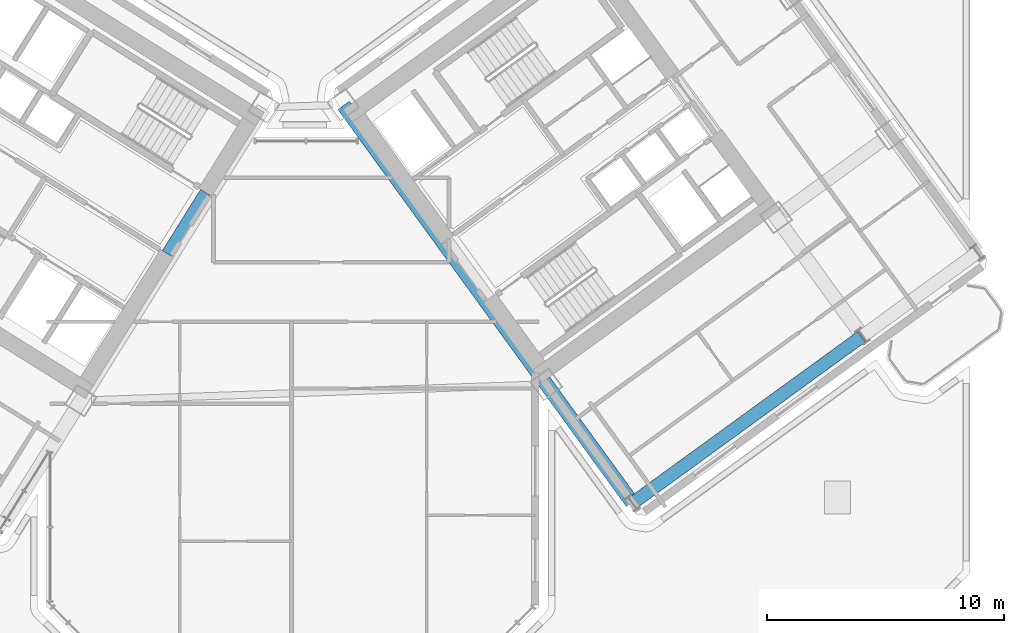
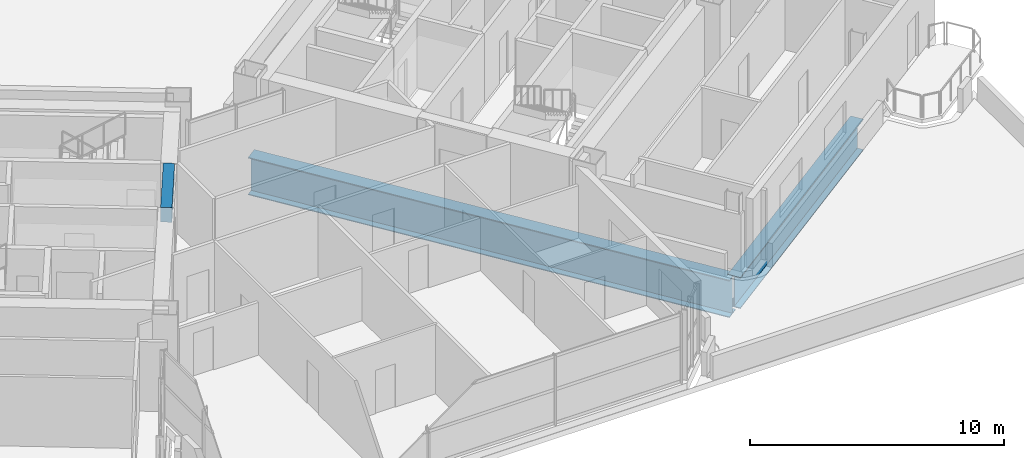
# One storey, part 10 of 28: 3 beams.
"""IFC4 building model written with IfcOpenShell, lengths in metres."""

from ifc_helpers import new_model, si_unit, direction, frame, origin, origin_2d, place, context, subcontext, project, spatial, rectangle, i_section, extrude, source, transform, mapped, material, material_profile, profile_set, type_object, element, save


model = new_model("IFC4")

# Units and contexts
model_context = context("Model", 3, precision=1e-05, world=origin(), true_north=direction((0.0, 1.0)))
body_context = subcontext(model_context, "Body", "Model", "MODEL_VIEW")
ifc_project = project(units=[si_unit("LENGTHUNIT", "METRE"), si_unit("AREAUNIT", "SQUARE_METRE"), si_unit("VOLUMEUNIT", "CUBIC_METRE"), si_unit("PLANEANGLEUNIT", "RADIAN"), si_unit("MASSUNIT", "GRAM", prefix="KILO")], contexts=[model_context])

# Site, building, storey
site_placement = place(None, origin())
site = spatial("IfcSite", under=ifc_project, at=site_placement, CompositionType="ELEMENT")
building_placement = place(site_placement, origin())
building = spatial("IfcBuilding", under=site, at=building_placement, Name="Tlacorven Tower", CompositionType="ELEMENT")
storey_placement = place(building_placement, frame((0.0, 0.0, 24.0)))
storey = spatial("IfcBuildingStorey", under=building, at=storey_placement, Name="L05", CompositionType="ELEMENT", Elevation=24.0)

# Beams
ifc_material_1 = material(Name="Concrete C60/75", Category="concrete")
ifc_material_profile_1 = material_profile(ifc_material_1, rectangle(XDim=0.449951171875, YDim=0.699951171875, at=origin_2d()), Name="RC 450X700")
ifc_profile_set_1 = profile_set([ifc_material_profile_1], Name="Concrete C60/75")
beam_type_1 = type_object("IfcBeamType", Name="BM-LNT-700", PredefinedType="LINTEL", material=ifc_profile_set_1)
shared_shape_1 = source(origin(), body_context, "Body", "SweptSolid", [
    extrude(rectangle(XDim=0.449951171875, YDim=0.699951171875, at=origin_2d()), origin(), (0.0, 0.0, 1.0), 3.050048828125),
])
beam_1_placement = place(storey_placement, frame((38.2998046875, 20.890625, 3.0), z_axis=(-0.529984549635, -0.848007297815, 0.0), x_axis=(0.848007297815, -0.529984549635, 0.0)))
element("IfcBeam", 1, at=beam_1_placement, inside=storey, type_object=beam_type_1, Name="L05 W core coupling lintel beam E1", PredefinedType="LINTEL", context=body_context, shape_type="MappedRepresentation", body=[
    mapped(shared_shape_1, transform((0.0, 0.0, 0.0), scale=1.0)),
])
ifc_material_2 = material(Name="Steel S460M", Category="steel")
ifc_material_profile_2 = material_profile(ifc_material_2, i_section(OverallWidth=0.60009765625, OverallDepth=1.800048828125, WebThickness=0.028076171875, FlangeThickness=0.0400390625, at=origin_2d()), Name="PG 1800X600X28X40")
ifc_profile_set_2 = profile_set([ifc_material_profile_2], Name="Steel S460M")
beam_type_2 = type_object("IfcBeamType", Name="BM-TRG-1800", PredefinedType="USERDEFINED", material=ifc_profile_set_2)
shared_shape_2 = source(origin(), body_context, "Body", "SweptSolid", [
    extrude(i_section(OverallWidth=0.60009765625, OverallDepth=1.800048828125, WebThickness=0.028076171875, FlangeThickness=0.0400390625, at=origin_2d()), origin(), (0.0, 0.0, 1.0), 20.72021484375),
])
beam_2_placement = place(storey_placement, frame((44.147216796875, 24.552734375, -1.35009765625), z_axis=(0.587784199495, -0.809017759276, 0.0), x_axis=(0.809017759276, 0.587784199495, 0.0)))
element("IfcBeam", 2, at=beam_2_placement, inside=storey, type_object=beam_type_2, Name="L05 beam TG-L05-EB1", ObjectType="TRANSFER GIRDER", PredefinedType="USERDEFINED", context=body_context, shape_type="MappedRepresentation", body=[
    mapped(shared_shape_2, transform((0.0, 0.0, 0.0), scale=1.0)),
])
ifc_material_profile_3 = material_profile(ifc_material_2, i_section(OverallWidth=0.550048828125, OverallDepth=1.5, WebThickness=0.02490234375, FlangeThickness=0.0380859375, at=origin_2d()), Name="PG 1500X550X25X38")
ifc_profile_set_3 = profile_set([ifc_material_profile_3], Name="Steel S460M")
beam_type_3 = type_object("IfcBeamType", Name="BM-TRG-1500", PredefinedType="USERDEFINED", material=ifc_profile_set_3)
shared_shape_3 = source(origin(), body_context, "Body", "SweptSolid", [
    extrude(i_section(OverallWidth=0.550048828125, OverallDepth=1.5, WebThickness=0.02490234375, FlangeThickness=0.0380859375, at=origin_2d()), origin(), (0.0, 0.0, 1.0), 11.89990234375),
])
beam_3_placement = place(storey_placement, frame((56.39013671875, 7.786865234375, -1.199951171875), z_axis=(0.809014570063, 0.587788589057, 0.0), x_axis=(-0.587788589057, 0.809014570063, 0.0)))
element("IfcBeam", 3, at=beam_3_placement, inside=storey, type_object=beam_type_3, Name="L05 beam TG-L05-ES1", ObjectType="TRANSFER GIRDER", PredefinedType="USERDEFINED", context=body_context, shape_type="MappedRepresentation", body=[
    mapped(shared_shape_3, transform((0.0, 0.0, 0.0), scale=1.0)),
])

save(model, "model.ifc")
